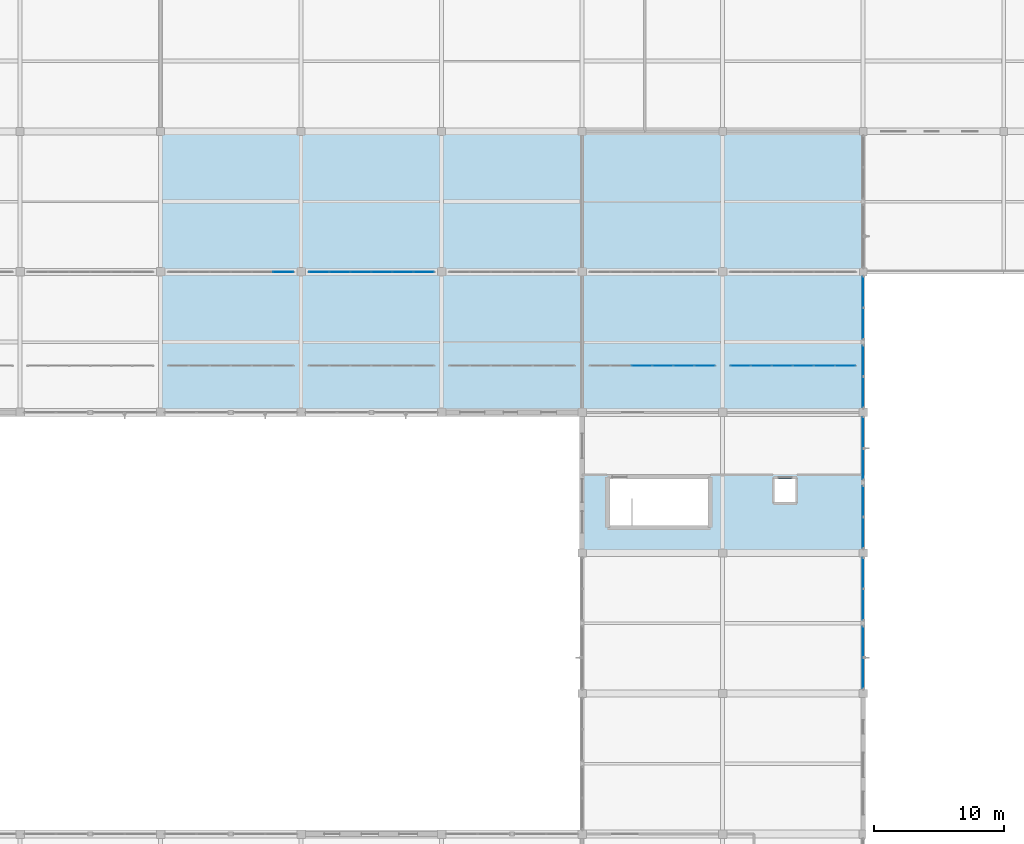
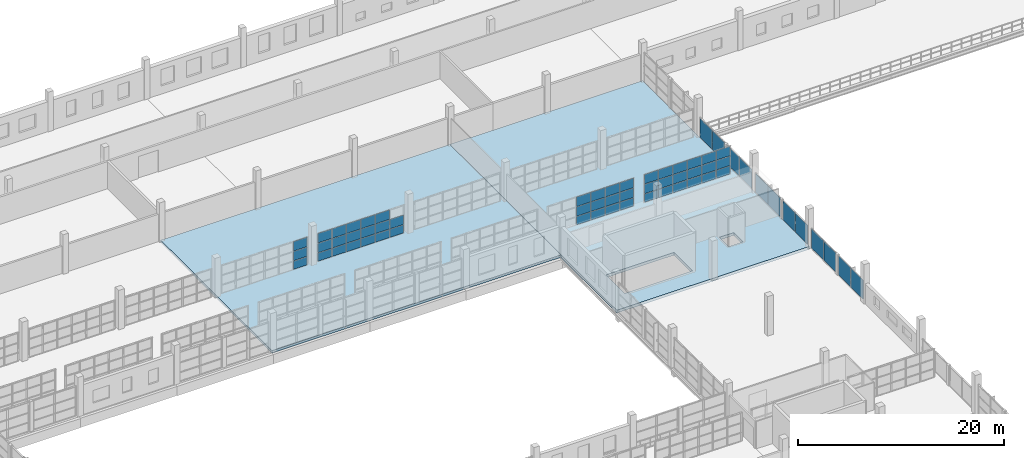
# One storey, part 100 of 142: 62 plates, 2 slabs, 10 elements without a shape of their own.
"""IFC4 building model written with IfcOpenShell, lengths in metres."""

import ifcopenshell
import ifcopenshell.guid

model = None  # the IFC model being written
_history = None  # IfcOwnerHistory: only IFC2X3 demands one
_inside = {}  # id of a spatial element -> (the spatial element, [elements in it])
_under = {}  # id of a project, library or spatial element -> (it, [spatial elements below it])
_declared = {}  # id of a project -> (the project, [libraries it declares])
_typed = {}  # id of a type object -> (the type object, [elements of that type])
_made_of = {}  # id of a material, layer set ... -> (it, [elements and type objects made of it])


def new_model(schema):
    """Start an empty IFC model of exactly this schema.

    Asked for "IFC4X3", IfcOpenShell would pick the latest addendum, in which some entities
    have other attributes; the version numbers below select the first issue.
    IFC2X3 requires an IfcOwnerHistory on every rooted entity: one is made here for all.
    """
    global model, _history
    if schema == "IFC4X3":
        model = ifcopenshell.file(schema_version=(4, 3, 0, 0))
    else:
        model = ifcopenshell.file(schema=schema)
    _inside.clear()
    _under.clear()
    _declared.clear()
    _typed.clear()
    _made_of.clear()
    _history = None
    if model.schema == "IFC2X3":
        org = make("IfcOrganization", Name="unknown")
        user = make(
            "IfcPersonAndOrganization",
            ThePerson=make("IfcPerson", FamilyName="unknown"),
            TheOrganization=org,
        )
        app = make(
            "IfcApplication",
            ApplicationDeveloper=org,
            Version="unknown",
            ApplicationFullName="unknown",
            ApplicationIdentifier="unknown",
        )
        _history = make(
            "IfcOwnerHistory",
            OwningUser=user,
            OwningApplication=app,
            ChangeAction="ADDED",
            CreationDate=0,
        )
    return model


def make(cls, **values):
    """One entity of the class cls with the attributes given. An attribute that is None is left unset."""
    return model.create_entity(
        cls, **{name: value for name, value in values.items() if value is not None}
    )


def rooted(cls, **values):
    """An entity with a GlobalId (a new one), such as an element, a storey or a relation."""
    return make(cls, GlobalId=ifcopenshell.guid.new(), OwnerHistory=_history, **values)


def si_unit(unit_type, name, prefix=None):
    """IfcSIUnit, for example si_unit("LENGTHUNIT", "METRE", prefix="MILLI")."""
    return make("IfcSIUnit", UnitType=unit_type, Prefix=prefix, Name=name)


def assignment(units):
    """IfcUnitAssignment: the units of a project."""
    return None if units is None else make("IfcUnitAssignment", Units=units)


def point(xyz):
    """IfcCartesianPoint."""
    return None if xyz is None else make("IfcCartesianPoint", Coordinates=xyz)


def direction(xyz):
    """IfcDirection."""
    return None if xyz is None else make("IfcDirection", DirectionRatios=xyz)


def frame(location, z_axis=None, x_axis=None):
    """IfcAxis2Placement3D, a coordinate frame: its origin and axes. An axis left out is left unset."""
    return make(
        "IfcAxis2Placement3D",
        Location=point(location),
        Axis=direction(z_axis),
        RefDirection=direction(x_axis),
    )


def frame_2d(location, x_axis=None):
    """IfcAxis2Placement2D, a coordinate frame in the plane: its origin and x axis."""
    return make(
        "IfcAxis2Placement2D", Location=point(location), RefDirection=direction(x_axis)
    )


def origin():
    """The frame at (0, 0, 0) with its axes left unset."""
    return frame((0.0, 0.0, 0.0))


def origin_2d():
    """The frame at (0, 0) in the plane with its x axis left unset."""
    return frame_2d((0.0, 0.0))


def place(relative_to, where):
    """IfcLocalPlacement: puts the frame where relative to a parent placement (None: the world)."""
    return make(
        "IfcLocalPlacement", PlacementRelTo=relative_to, RelativePlacement=where
    )


def context(
    kind, dimensions, precision=None, world=None, true_north=None, identifier=None
):
    """IfcGeometricRepresentationContext, for example the 3D "Model" context."""
    return make(
        "IfcGeometricRepresentationContext",
        ContextIdentifier=identifier,
        ContextType=kind,
        CoordinateSpaceDimension=dimensions,
        Precision=precision,
        WorldCoordinateSystem=world,
        TrueNorth=true_north,
    )


def subcontext(parent, identifier, kind, view, scale=None):
    """IfcGeometricRepresentationSubContext, for example "Body" below "Model"."""
    return make(
        "IfcGeometricRepresentationSubContext",
        ContextIdentifier=identifier,
        ContextType=kind,
        ParentContext=parent,
        TargetScale=scale,
        TargetView=view,
    )


def project(units=None, contexts=None):
    """IfcProject with its units and contexts."""
    return rooted(
        "IfcProject",
        Name="project",
        RepresentationContexts=contexts,
        UnitsInContext=assignment(units),
    )


def spatial(cls, under=None, at=None, **own):
    """A site, building, storey or space (cls), placed at a placement, below another one or the project."""
    s = rooted(cls, ObjectPlacement=at, **own)
    if under is not None:
        _under.setdefault(under.id(), (under, []))[1].append(s)
    return s


def polyline(points):
    """IfcPolyline through the points."""
    return make("IfcPolyline", Points=[point(p) for p in points])


def profile(cls, at=None, kind="AREA", **sizes):
    """A parametric profile (cls). Its sizes go by their IFC names, for example OverallWidth=200.0."""
    return make(cls, ProfileType=kind, Position=at, **sizes)


def rectangle(**sizes):
    """IfcRectangleProfileDef."""
    return profile("IfcRectangleProfileDef", **sizes)


def outline(outer, holes=None, kind="AREA"):
    """IfcArbitraryClosedProfileDef: a profile drawn as a closed curve; with holes, ...WithVoids."""
    if holes is None:
        return make("IfcArbitraryClosedProfileDef", ProfileType=kind, OuterCurve=outer)
    return make(
        "IfcArbitraryProfileDefWithVoids",
        ProfileType=kind,
        OuterCurve=outer,
        InnerCurves=holes,
    )


def extrude(swept, where, along, depth):
    """IfcExtrudedAreaSolid: the profile swept, set in the frame where, extruded along a direction by depth."""
    return make(
        "IfcExtrudedAreaSolid",
        SweptArea=swept,
        Position=where,
        ExtrudedDirection=direction(along),
        Depth=depth,
    )


def shape(context_of_items, identifier, shape_type, items):
    """IfcShapeRepresentation: the items that make up one representation, for example the "Body"."""
    return make(
        "IfcShapeRepresentation",
        ContextOfItems=context_of_items,
        RepresentationIdentifier=identifier,
        RepresentationType=shape_type,
        Items=items,
    )


def material(Name=None, Category=None):
    """IfcMaterial."""
    return make("IfcMaterial", Name=Name, Category=Category)


def layer(
    of_material, thickness, ventilated=None, Name=None, Category=None, Priority=None
):
    """IfcMaterialLayer: one layer of a wall or slab, of a material (None: an air gap)."""
    return make(
        "IfcMaterialLayer",
        Material=of_material,
        LayerThickness=thickness,
        IsVentilated=ventilated,
        Name=Name,
        Category=Category,
        Priority=Priority,
    )


def layer_set(layers, Name=None):
    """IfcMaterialLayerSet."""
    return make("IfcMaterialLayerSet", MaterialLayers=layers, LayerSetName=Name)


def made_of(thing, what):
    """Note that an element or type object is made of a material, layer set ...; save() writes the relation."""
    if what is not None:
        _made_of.setdefault(what.id(), (what, []))[1].append(thing)
    return thing


def type_object(cls, material=None, **own):
    """A type object (cls), such as IfcWallType, which elements share."""
    return made_of(rooted(cls, **own), material)


def element(
    cls,
    number,
    at=None,
    inside=None,
    cuts=None,
    type_object=None,
    material=None,
    context=None,
    identifier="Body",
    shape_type=None,
    held_by="IfcProductDefinitionShape",
    body=None,
    shapes=None,
    **own,
):
    """One element of the class cls, such as IfcWall. Its Tag is "e" and its number.

    at: its placement. inside: the storey or other place that contains it. cuts: it is an
    opening in that element (IfcRelVoidsElement). A single representation is given by context,
    identifier, shape_type and body (its items); several are given by shapes. held_by: the class
    of the entity that holds the representations. save() writes the other relations.
    """
    e = rooted(cls, Tag="e%d" % number, ObjectPlacement=at, **own)
    if body is not None:
        shapes = [shape(context, identifier, shape_type, body)]
    if shapes is not None:
        e.Representation = make(held_by, Representations=shapes)
    if inside is not None:
        _inside.setdefault(inside.id(), (inside, []))[1].append(e)
    if cuts is not None:
        rooted(
            "IfcRelVoidsElement", RelatingBuildingElement=cuts, RelatedOpeningElement=e
        )
    if type_object is not None:
        _typed.setdefault(type_object.id(), (type_object, []))[1].append(e)
    return made_of(e, material)


def aggregate(whole, parts):
    """IfcRelAggregates: a whole, such as a stair, and the parts it consists of."""
    return rooted("IfcRelAggregates", RelatingObject=whole, RelatedObjects=parts)


def save(model, path):
    """Write the relations noted so far, then the file.

    IfcRelAggregates (storeys below a building ...), IfcRelContainedInSpatialStructure (elements
    in a storey), IfcRelDefinesByType, IfcRelAssociatesMaterial and IfcRelDeclares: one each for
    every whole, place, type object, material and project.
    """
    for whole, parts in _under.values():
        aggregate(whole, parts)
    for where, things in _inside.values():
        rooted(
            "IfcRelContainedInSpatialStructure",
            RelatedElements=things,
            RelatingStructure=where,
        )
    for kind, things in _typed.values():
        rooted("IfcRelDefinesByType", RelatedObjects=things, RelatingType=kind)
    for what, things in _made_of.values():
        rooted("IfcRelAssociatesMaterial", RelatedObjects=things, RelatingMaterial=what)
    for by, libraries in _declared.values():
        rooted("IfcRelDeclares", RelatingContext=by, RelatedDefinitions=libraries)
    model.write(path)


model = new_model("IFC4")

# Units and contexts
model_context = context("Model", 3, precision=1e-05, world=origin(), true_north=direction((0.0, 1.0)))
body_context = subcontext(model_context, "Body", "Model", "MODEL_VIEW")
ifc_project = project(units=[si_unit("LENGTHUNIT", "METRE"), si_unit("AREAUNIT", "SQUARE_METRE"), si_unit("VOLUMEUNIT", "CUBIC_METRE"), si_unit("PLANEANGLEUNIT", "RADIAN"), si_unit("MASSUNIT", "GRAM", prefix="KILO")], contexts=[model_context])

# Site, building, storey
site_placement = place(None, origin())
site = spatial("IfcSite", under=ifc_project, at=site_placement, CompositionType="ELEMENT")
building_placement = place(site_placement, origin())
building = spatial("IfcBuilding", under=site, at=building_placement, Name="Zwinboog Wholesale Market", CompositionType="ELEMENT")
storey_placement = place(building_placement, frame((0.0, 0.0, 5.39990234375)))
storey = spatial("IfcBuildingStorey", under=building, at=storey_placement, Name="L01", CompositionType="ELEMENT", Elevation=5.39990234375)

# Slabs
ifc_material_1 = material(Name="Precast concrete C45/55", Category="concrete")
ifc_layer_1 = layer(ifc_material_1, 0.280029296875)
ifc_layer_set_1 = layer_set([ifc_layer_1], Name="Precast concrete C45/55")
slab_type_1 = type_object("IfcSlabType", Name="SLT-FL-280", PredefinedType="FLOOR", material=ifc_layer_set_1)
slab_1_placement = place(storey_placement, frame((0.0, 0.0, -0.27978515625)))
element("IfcSlab", 1, at=slab_1_placement, inside=storey, type_object=slab_type_1, Name="SF-280 (SLB-L01-040)", PredefinedType="FLOOR", context=body_context, shape_type="SweptSolid", body=[
    extrude(outline(polyline([(118.800048828125, 86.39990234375), (151.199951171875, 86.39990234375), (151.199951171875, 108.0), (118.800048828125, 108.0), (118.800048828125, 86.39990234375)])), origin(), (0.0, 0.0, 1.0), 0.27978515625),
])
ifc_layer_2 = layer(ifc_material_1, 0.33203125)
ifc_layer_set_2 = layer_set([ifc_layer_2], Name="Precast concrete C45/55")
slab_type_2 = type_object("IfcSlabType", Name="SLT-FL-332", PredefinedType="FLOOR", material=ifc_layer_set_2)
slab_2_placement = place(storey_placement, frame((0.0, 0.0, -0.331787109375)))
element("IfcSlab", 2, at=slab_2_placement, inside=storey, type_object=slab_type_2, Name="SF-332 (SLB-L01-042)", PredefinedType="FLOOR", context=body_context, shape_type="SweptSolid", body=[
    extrude(outline(polyline([(151.199951171875, 75.60009765625), (172.800048828125, 75.60009765625), (172.800048828125, 108.0), (151.199951171875, 108.0), (151.199951171875, 75.60009765625)]), holes=[polyline([(153.300048828125, 77.699951171875), (160.89990234375, 77.699951171875), (160.89990234375, 81.300048828125), (153.300048828125, 81.300048828125), (153.300048828125, 77.699951171875)]), polyline([(166.0, 79.5), (167.60009765625, 79.5), (167.60009765625, 81.300048828125), (166.0, 81.300048828125), (166.0, 79.5)])]), origin(), (0.0, 0.0, 1.0), 0.331787109375),
])

# Curtain wall, plates
ifc_material_2 = material(Name="Aluminium thermally broken curtain wall", Category="aluminium")
curtain_wall_type_1 = type_object("IfcCurtainWallType", Name="CWT-HALL-24", PredefinedType="USERDEFINED", material=ifc_material_2)
curtain_wall_1_placement = place(storey_placement, origin())
curtain_wall_1 = element("IfcCurtainWall", 3, at=curtain_wall_1_placement, inside=storey, type_object=curtain_wall_type_1, Name="CW-03 (CW-L01-135)", ObjectType="UNITIZED_CURTAIN_WALL", PredefinedType="USERDEFINED")
ifc_material_3 = material(Name="Triple solar-control insulated glazing", Category="glass")
ifc_layer_3 = layer(ifc_material_3, 0.0380859375)
ifc_layer_set_3 = layer_set([ifc_layer_3], Name="Triple solar-control insulated glazing")
plate_type_1 = type_object("IfcPlateType", Name="CWP-IGU-38", PredefinedType="CURTAIN_PANEL", material=ifc_layer_set_3)
plate_1_placement = place(storey_placement, frame((172.800048828125, 66.356201171875, 0.065185546875), z_axis=(0.0, 0.0, 1.0), x_axis=(0.0, 1.0, 0.0)))
plate_1 = element("IfcPlate", 4, at=plate_1_placement, type_object=plate_type_1, Name="CW-03 panel 1.1", PredefinedType="CURTAIN_PANEL", context=body_context, shape_type="SweptSolid", body=[
    extrude(rectangle(XDim=2.342529296875, YDim=0.0380859375, at=origin_2d()), origin(), (0.0, 0.0, 1.0), 2.25),
])
plate_2_placement = place(storey_placement, frame((172.800048828125, 68.763671875, 0.065185546875), z_axis=(0.0, 0.0, 1.0), x_axis=(0.0, 1.0, 0.0)))
plate_2 = element("IfcPlate", 5, at=plate_2_placement, type_object=plate_type_1, Name="CW-03 panel 2.1", PredefinedType="CURTAIN_PANEL", context=body_context, shape_type="SweptSolid", body=[
    extrude(rectangle(XDim=2.342529296875, YDim=0.0380859375, at=origin_2d()), origin(), (0.0, 0.0, 1.0), 2.25),
])
aggregate(curtain_wall_1, [plate_1, plate_2])

curtain_wall_type_2 = type_object("IfcCurtainWallType", Name="CWT-GAL-16", PredefinedType="USERDEFINED", material=ifc_material_2)
curtain_wall_2_placement = place(storey_placement, origin())
curtain_wall_2 = element("IfcCurtainWall", 6, at=curtain_wall_2_placement, inside=storey, type_object=curtain_wall_type_2, Name="CW-04 (CW-L01-136)", ObjectType="UNITIZED_CURTAIN_WALL", PredefinedType="USERDEFINED")
plate_3_placement = place(storey_placement, frame((172.800048828125, 71.635009765625, 0.06005859375), z_axis=(0.0, 0.0, 1.0), x_axis=(0.0, 1.0, 0.0)))
plate_3 = element("IfcPlate", 7, at=plate_3_placement, type_object=plate_type_1, Name="CW-04 panel 1.1", PredefinedType="CURTAIN_PANEL", context=body_context, shape_type="SweptSolid", body=[
    extrude(rectangle(XDim=2.35009765625, YDim=0.0380859375, at=origin_2d()), origin(), (0.0, 0.0, 1.0), 2.260009765625),
])
plate_4_placement = place(storey_placement, frame((172.800048828125, 74.044921875, 0.06005859375), z_axis=(0.0, 0.0, 1.0), x_axis=(0.0, 1.0, 0.0)))
plate_4 = element("IfcPlate", 8, at=plate_4_placement, type_object=plate_type_1, Name="CW-04 panel 2.1", PredefinedType="CURTAIN_PANEL", context=body_context, shape_type="SweptSolid", body=[
    extrude(rectangle(XDim=2.35009765625, YDim=0.0380859375, at=origin_2d()), origin(), (0.0, 0.0, 1.0), 2.260009765625),
])
aggregate(curtain_wall_2, [plate_3, plate_4])

curtain_wall_type_3 = type_object("IfcCurtainWallType", Name="CWT-CAFE-22", PredefinedType="USERDEFINED", material=ifc_material_2)
curtain_wall_3_placement = place(storey_placement, origin())
curtain_wall_3 = element("IfcCurtainWall", 9, at=curtain_wall_3_placement, inside=storey, type_object=curtain_wall_type_3, Name="CW-05 (CW-L01-137)", ObjectType="STOREFRONT_GLAZING", PredefinedType="USERDEFINED")
plate_5_placement = place(storey_placement, frame((172.800048828125, 77.15625, 0.065185546875), z_axis=(0.0, 0.0, 1.0), x_axis=(0.0, 1.0, 0.0)))
plate_5 = element("IfcPlate", 10, at=plate_5_placement, type_object=plate_type_1, Name="CW-05 panel 1.1", PredefinedType="CURTAIN_PANEL", context=body_context, shape_type="SweptSolid", body=[
    extrude(rectangle(XDim=2.342529296875, YDim=0.0380859375, at=origin_2d()), origin(), (0.0, 0.0, 1.0), 2.25),
])
plate_6_placement = place(storey_placement, frame((172.800048828125, 79.563720703125, 0.065185546875), z_axis=(0.0, 0.0, 1.0), x_axis=(0.0, 1.0, 0.0)))
plate_6 = element("IfcPlate", 11, at=plate_6_placement, type_object=plate_type_1, Name="CW-05 panel 2.1", PredefinedType="CURTAIN_PANEL", context=body_context, shape_type="SweptSolid", body=[
    extrude(rectangle(XDim=2.342529296875, YDim=0.0380859375, at=origin_2d()), origin(), (0.0, 0.0, 1.0), 2.25),
])
aggregate(curtain_wall_3, [plate_5, plate_6])

curtain_wall_type_4 = type_object("IfcCurtainWallType", Name="CWT-OFF-15", PredefinedType="USERDEFINED", material=ifc_material_2)
curtain_wall_4_placement = place(storey_placement, origin())
curtain_wall_4 = element("IfcCurtainWall", 12, at=curtain_wall_4_placement, inside=storey, type_object=curtain_wall_type_4, Name="CW-06 (CW-L01-138)", ObjectType="UNITIZED_CURTAIN_WALL", PredefinedType="USERDEFINED")
plate_7_placement = place(storey_placement, frame((172.800048828125, 82.43505859375, 0.06005859375), z_axis=(0.0, 0.0, 1.0), x_axis=(0.0, 1.0, 0.0)))
plate_7 = element("IfcPlate", 13, at=plate_7_placement, type_object=plate_type_1, Name="CW-06 panel 1.1", PredefinedType="CURTAIN_PANEL", context=body_context, shape_type="SweptSolid", body=[
    extrude(rectangle(XDim=2.35009765625, YDim=0.0380859375, at=origin_2d()), origin(), (0.0, 0.0, 1.0), 2.260009765625),
])
plate_8_placement = place(storey_placement, frame((172.800048828125, 84.844970703125, 0.06005859375), z_axis=(0.0, 0.0, 1.0), x_axis=(0.0, 1.0, 0.0)))
plate_8 = element("IfcPlate", 14, at=plate_8_placement, type_object=plate_type_1, Name="CW-06 panel 2.1", PredefinedType="CURTAIN_PANEL", context=body_context, shape_type="SweptSolid", body=[
    extrude(rectangle(XDim=2.35009765625, YDim=0.0380859375, at=origin_2d()), origin(), (0.0, 0.0, 1.0), 2.260009765625),
])
aggregate(curtain_wall_4, [plate_7, plate_8])

curtain_wall_type_5 = type_object("IfcCurtainWallType", Name="CWT-STALL-18", PredefinedType="USERDEFINED", material=ifc_material_2)
curtain_wall_5_placement = place(storey_placement, origin())
curtain_wall_5 = element("IfcCurtainWall", 15, at=curtain_wall_5_placement, inside=storey, type_object=curtain_wall_type_5, Name="CW-01 (CW-L01-139)", ObjectType="STOREFRONT_GLAZING", PredefinedType="USERDEFINED")
plate_9_placement = place(storey_placement, frame((172.800048828125, 87.956298828125, 0.065185546875), z_axis=(0.0, 0.0, 1.0), x_axis=(0.0, 1.0, 0.0)))
plate_9 = element("IfcPlate", 16, at=plate_9_placement, type_object=plate_type_1, Name="CW-01 panel 1.1", PredefinedType="CURTAIN_PANEL", context=body_context, shape_type="SweptSolid", body=[
    extrude(rectangle(XDim=2.342529296875, YDim=0.0380859375, at=origin_2d()), origin(), (0.0, 0.0, 1.0), 2.25),
])
plate_10_placement = place(storey_placement, frame((172.800048828125, 90.36376953125, 0.065185546875), z_axis=(0.0, 0.0, 1.0), x_axis=(0.0, 1.0, 0.0)))
plate_10 = element("IfcPlate", 17, at=plate_10_placement, type_object=plate_type_1, Name="CW-01 panel 2.1", PredefinedType="CURTAIN_PANEL", context=body_context, shape_type="SweptSolid", body=[
    extrude(rectangle(XDim=2.342529296875, YDim=0.0380859375, at=origin_2d()), origin(), (0.0, 0.0, 1.0), 2.25),
])
aggregate(curtain_wall_5, [plate_9, plate_10])

curtain_wall_type_6 = type_object("IfcCurtainWallType", Name="CWT-STALL-20", PredefinedType="USERDEFINED", material=ifc_material_2)
curtain_wall_6_placement = place(storey_placement, origin())
curtain_wall_6 = element("IfcCurtainWall", 18, at=curtain_wall_6_placement, inside=storey, type_object=curtain_wall_type_6, Name="CW-02 (CW-L01-140)", ObjectType="STOREFRONT_GLAZING", PredefinedType="USERDEFINED")
plate_11_placement = place(storey_placement, frame((172.800048828125, 93.2412109375, 0.06005859375), z_axis=(0.0, 0.0, 1.0), x_axis=(0.0, 1.0, 0.0)))
plate_11 = element("IfcPlate", 19, at=plate_11_placement, type_object=plate_type_1, Name="CW-02 panel 1.1", PredefinedType="CURTAIN_PANEL", context=body_context, shape_type="SweptSolid", body=[
    extrude(rectangle(XDim=2.362548828125, YDim=0.0380859375, at=origin_2d()), origin(), (0.0, 0.0, 1.0), 2.260009765625),
])
plate_12_placement = place(storey_placement, frame((172.800048828125, 95.663818359375, 0.06005859375), z_axis=(0.0, 0.0, 1.0), x_axis=(0.0, 1.0, 0.0)))
plate_12 = element("IfcPlate", 20, at=plate_12_placement, type_object=plate_type_1, Name="CW-02 panel 2.1", PredefinedType="CURTAIN_PANEL", context=body_context, shape_type="SweptSolid", body=[
    extrude(rectangle(XDim=2.362548828125, YDim=0.0380859375, at=origin_2d()), origin(), (0.0, 0.0, 1.0), 2.260009765625),
])
aggregate(curtain_wall_6, [plate_11, plate_12])

curtain_wall_type_7 = type_object("IfcCurtainWallType", Name="CWT-INT-STALL", PredefinedType="USERDEFINED", material=ifc_material_2)
curtain_wall_7_placement = place(storey_placement, origin())
curtain_wall_7 = element("IfcCurtainWall", 21, at=curtain_wall_7_placement, inside=storey, type_object=curtain_wall_type_7, Name="CW-07 (CW-STL-243)", ObjectType="STOREFRONT_GLAZING", PredefinedType="USERDEFINED")
ifc_material_4 = material(Name="Tempered laminated market stall glazing", Category="glass")
ifc_layer_4 = layer(ifc_material_4, 0.01611328125)
ifc_layer_set_4 = layer_set([ifc_layer_4], Name="Tempered laminated market stall glazing")
plate_type_2 = type_object("IfcPlateType", Name="CWP-INT-16", PredefinedType="CURTAIN_PANEL", material=ifc_layer_set_4)
plate_13_placement = place(storey_placement, frame((155.791748046875, 90.0, 0.06005859375), z_axis=(0.0, 0.0, 1.0), x_axis=(1.0, 0.0, 0.0)))
plate_13 = element("IfcPlate", 22, at=plate_13_placement, type_object=plate_type_2, Name="CW-07 panel 3.1", PredefinedType="CURTAIN_PANEL", context=body_context, shape_type="SweptSolid", body=[
    extrude(rectangle(XDim=1.556640625, YDim=0.01611328125, at=origin_2d()), origin(), (0.0, 0.0, 1.0), 0.9599609375),
])
plate_14_placement = place(storey_placement, frame((155.791748046875, 90.0, 1.080078125), z_axis=(0.0, 0.0, 1.0), x_axis=(1.0, 0.0, 0.0)))
plate_14 = element("IfcPlate", 23, at=plate_14_placement, type_object=plate_type_2, Name="CW-07 panel 3.2", PredefinedType="CURTAIN_PANEL", context=body_context, shape_type="SweptSolid", body=[
    extrude(rectangle(XDim=1.556640625, YDim=0.01611328125, at=origin_2d()), origin(), (0.0, 0.0, 1.0), 1.090087890625),
])
plate_15_placement = place(storey_placement, frame((155.791748046875, 90.0, 2.22998046875), z_axis=(0.0, 0.0, 1.0), x_axis=(1.0, 0.0, 0.0)))
plate_15 = element("IfcPlate", 24, at=plate_15_placement, type_object=plate_type_2, Name="CW-07 panel 3.3", PredefinedType="CURTAIN_PANEL", context=body_context, shape_type="SweptSolid", body=[
    extrude(rectangle(XDim=1.556640625, YDim=0.01611328125, at=origin_2d()), origin(), (0.0, 0.0, 1.0), 1.110107421875),
])
plate_16_placement = place(storey_placement, frame((157.408447265625, 90.0, 0.06005859375), z_axis=(0.0, 0.0, 1.0), x_axis=(1.0, 0.0, 0.0)))
plate_16 = element("IfcPlate", 25, at=plate_16_placement, type_object=plate_type_2, Name="CW-07 panel 4.1", PredefinedType="CURTAIN_PANEL", context=body_context, shape_type="SweptSolid", body=[
    extrude(rectangle(XDim=1.556640625, YDim=0.01611328125, at=origin_2d()), origin(), (0.0, 0.0, 1.0), 0.9599609375),
])
plate_17_placement = place(storey_placement, frame((157.408447265625, 90.0, 1.080078125), z_axis=(0.0, 0.0, 1.0), x_axis=(1.0, 0.0, 0.0)))
plate_17 = element("IfcPlate", 26, at=plate_17_placement, type_object=plate_type_2, Name="CW-07 panel 4.2", PredefinedType="CURTAIN_PANEL", context=body_context, shape_type="SweptSolid", body=[
    extrude(rectangle(XDim=1.556640625, YDim=0.01611328125, at=origin_2d()), origin(), (0.0, 0.0, 1.0), 1.090087890625),
])
plate_18_placement = place(storey_placement, frame((157.408447265625, 90.0, 2.22998046875), z_axis=(0.0, 0.0, 1.0), x_axis=(1.0, 0.0, 0.0)))
plate_18 = element("IfcPlate", 27, at=plate_18_placement, type_object=plate_type_2, Name="CW-07 panel 4.3", PredefinedType="CURTAIN_PANEL", context=body_context, shape_type="SweptSolid", body=[
    extrude(rectangle(XDim=1.556640625, YDim=0.01611328125, at=origin_2d()), origin(), (0.0, 0.0, 1.0), 1.110107421875),
])
plate_19_placement = place(storey_placement, frame((159.02490234375, 90.0, 0.06005859375), z_axis=(0.0, 0.0, 1.0), x_axis=(1.0, 0.0, 0.0)))
plate_19 = element("IfcPlate", 28, at=plate_19_placement, type_object=plate_type_2, Name="CW-07 panel 5.1", PredefinedType="CURTAIN_PANEL", context=body_context, shape_type="SweptSolid", body=[
    extrude(rectangle(XDim=1.556640625, YDim=0.01611328125, at=origin_2d()), origin(), (0.0, 0.0, 1.0), 0.9599609375),
])
plate_20_placement = place(storey_placement, frame((159.02490234375, 90.0, 1.080078125), z_axis=(0.0, 0.0, 1.0), x_axis=(1.0, 0.0, 0.0)))
plate_20 = element("IfcPlate", 29, at=plate_20_placement, type_object=plate_type_2, Name="CW-07 panel 5.2", PredefinedType="CURTAIN_PANEL", context=body_context, shape_type="SweptSolid", body=[
    extrude(rectangle(XDim=1.556640625, YDim=0.01611328125, at=origin_2d()), origin(), (0.0, 0.0, 1.0), 1.090087890625),
])
plate_21_placement = place(storey_placement, frame((159.02490234375, 90.0, 2.22998046875), z_axis=(0.0, 0.0, 1.0), x_axis=(1.0, 0.0, 0.0)))
plate_21 = element("IfcPlate", 30, at=plate_21_placement, type_object=plate_type_2, Name="CW-07 panel 5.3", PredefinedType="CURTAIN_PANEL", context=body_context, shape_type="SweptSolid", body=[
    extrude(rectangle(XDim=1.556640625, YDim=0.01611328125, at=origin_2d()), origin(), (0.0, 0.0, 1.0), 1.110107421875),
])
plate_22_placement = place(storey_placement, frame((160.626708984375, 90.0, 0.06005859375), z_axis=(0.0, 0.0, 1.0), x_axis=(1.0, 0.0, 0.0)))
plate_22 = element("IfcPlate", 31, at=plate_22_placement, type_object=plate_type_2, Name="CW-07 panel 6.1", PredefinedType="CURTAIN_PANEL", context=body_context, shape_type="SweptSolid", body=[
    extrude(rectangle(XDim=1.526611328125, YDim=0.01611328125, at=origin_2d()), origin(), (0.0, 0.0, 1.0), 0.9599609375),
])
plate_23_placement = place(storey_placement, frame((160.626708984375, 90.0, 1.080078125), z_axis=(0.0, 0.0, 1.0), x_axis=(1.0, 0.0, 0.0)))
plate_23 = element("IfcPlate", 32, at=plate_23_placement, type_object=plate_type_2, Name="CW-07 panel 6.2", PredefinedType="CURTAIN_PANEL", context=body_context, shape_type="SweptSolid", body=[
    extrude(rectangle(XDim=1.526611328125, YDim=0.01611328125, at=origin_2d()), origin(), (0.0, 0.0, 1.0), 1.090087890625),
])
plate_24_placement = place(storey_placement, frame((160.626708984375, 90.0, 2.22998046875), z_axis=(0.0, 0.0, 1.0), x_axis=(1.0, 0.0, 0.0)))
plate_24 = element("IfcPlate", 33, at=plate_24_placement, type_object=plate_type_2, Name="CW-07 panel 6.3", PredefinedType="CURTAIN_PANEL", context=body_context, shape_type="SweptSolid", body=[
    extrude(rectangle(XDim=1.526611328125, YDim=0.01611328125, at=origin_2d()), origin(), (0.0, 0.0, 1.0), 1.110107421875),
])
aggregate(curtain_wall_7, [plate_13, plate_14, plate_15, plate_16, plate_17, plate_18, plate_19, plate_20, plate_21, plate_22, plate_23, plate_24])

curtain_wall_8_placement = place(storey_placement, origin())
curtain_wall_8 = element("IfcCurtainWall", 34, at=curtain_wall_8_placement, inside=storey, type_object=curtain_wall_type_7, Name="CW-07 (CW-STL-244)", ObjectType="STOREFRONT_GLAZING", PredefinedType="USERDEFINED")
plate_25_placement = place(storey_placement, frame((163.373291015625, 90.0, 0.06005859375), z_axis=(0.0, 0.0, 1.0), x_axis=(1.0, 0.0, 0.0)))
plate_25 = element("IfcPlate", 35, at=plate_25_placement, type_object=plate_type_2, Name="CW-07 panel 1.1", PredefinedType="CURTAIN_PANEL", context=body_context, shape_type="SweptSolid", body=[
    extrude(rectangle(XDim=1.526611328125, YDim=0.01611328125, at=origin_2d()), origin(), (0.0, 0.0, 1.0), 0.9599609375),
])
plate_26_placement = place(storey_placement, frame((163.373291015625, 90.0, 1.080078125), z_axis=(0.0, 0.0, 1.0), x_axis=(1.0, 0.0, 0.0)))
plate_26 = element("IfcPlate", 36, at=plate_26_placement, type_object=plate_type_2, Name="CW-07 panel 1.2", PredefinedType="CURTAIN_PANEL", context=body_context, shape_type="SweptSolid", body=[
    extrude(rectangle(XDim=1.526611328125, YDim=0.01611328125, at=origin_2d()), origin(), (0.0, 0.0, 1.0), 1.090087890625),
])
plate_27_placement = place(storey_placement, frame((163.373291015625, 90.0, 2.22998046875), z_axis=(0.0, 0.0, 1.0), x_axis=(1.0, 0.0, 0.0)))
plate_27 = element("IfcPlate", 37, at=plate_27_placement, type_object=plate_type_2, Name="CW-07 panel 1.3", PredefinedType="CURTAIN_PANEL", context=body_context, shape_type="SweptSolid", body=[
    extrude(rectangle(XDim=1.526611328125, YDim=0.01611328125, at=origin_2d()), origin(), (0.0, 0.0, 1.0), 1.110107421875),
])
plate_28_placement = place(storey_placement, frame((164.97509765625, 90.0, 0.06005859375), z_axis=(0.0, 0.0, 1.0), x_axis=(1.0, 0.0, 0.0)))
plate_28 = element("IfcPlate", 38, at=plate_28_placement, type_object=plate_type_2, Name="CW-07 panel 2.1", PredefinedType="CURTAIN_PANEL", context=body_context, shape_type="SweptSolid", body=[
    extrude(rectangle(XDim=1.556640625, YDim=0.01611328125, at=origin_2d()), origin(), (0.0, 0.0, 1.0), 0.9599609375),
])
plate_29_placement = place(storey_placement, frame((164.97509765625, 90.0, 1.080078125), z_axis=(0.0, 0.0, 1.0), x_axis=(1.0, 0.0, 0.0)))
plate_29 = element("IfcPlate", 39, at=plate_29_placement, type_object=plate_type_2, Name="CW-07 panel 2.2", PredefinedType="CURTAIN_PANEL", context=body_context, shape_type="SweptSolid", body=[
    extrude(rectangle(XDim=1.556640625, YDim=0.01611328125, at=origin_2d()), origin(), (0.0, 0.0, 1.0), 1.090087890625),
])
plate_30_placement = place(storey_placement, frame((164.97509765625, 90.0, 2.22998046875), z_axis=(0.0, 0.0, 1.0), x_axis=(1.0, 0.0, 0.0)))
plate_30 = element("IfcPlate", 40, at=plate_30_placement, type_object=plate_type_2, Name="CW-07 panel 2.3", PredefinedType="CURTAIN_PANEL", context=body_context, shape_type="SweptSolid", body=[
    extrude(rectangle(XDim=1.556640625, YDim=0.01611328125, at=origin_2d()), origin(), (0.0, 0.0, 1.0), 1.110107421875),
])
plate_31_placement = place(storey_placement, frame((166.591552734375, 90.0, 0.06005859375), z_axis=(0.0, 0.0, 1.0), x_axis=(1.0, 0.0, 0.0)))
plate_31 = element("IfcPlate", 41, at=plate_31_placement, type_object=plate_type_2, Name="CW-07 panel 3.1", PredefinedType="CURTAIN_PANEL", context=body_context, shape_type="SweptSolid", body=[
    extrude(rectangle(XDim=1.556640625, YDim=0.01611328125, at=origin_2d()), origin(), (0.0, 0.0, 1.0), 0.9599609375),
])
plate_32_placement = place(storey_placement, frame((166.591552734375, 90.0, 1.080078125), z_axis=(0.0, 0.0, 1.0), x_axis=(1.0, 0.0, 0.0)))
plate_32 = element("IfcPlate", 42, at=plate_32_placement, type_object=plate_type_2, Name="CW-07 panel 3.2", PredefinedType="CURTAIN_PANEL", context=body_context, shape_type="SweptSolid", body=[
    extrude(rectangle(XDim=1.556640625, YDim=0.01611328125, at=origin_2d()), origin(), (0.0, 0.0, 1.0), 1.090087890625),
])
plate_33_placement = place(storey_placement, frame((166.591552734375, 90.0, 2.22998046875), z_axis=(0.0, 0.0, 1.0), x_axis=(1.0, 0.0, 0.0)))
plate_33 = element("IfcPlate", 43, at=plate_33_placement, type_object=plate_type_2, Name="CW-07 panel 3.3", PredefinedType="CURTAIN_PANEL", context=body_context, shape_type="SweptSolid", body=[
    extrude(rectangle(XDim=1.556640625, YDim=0.01611328125, at=origin_2d()), origin(), (0.0, 0.0, 1.0), 1.110107421875),
])
plate_34_placement = place(storey_placement, frame((168.208251953125, 90.0, 0.06005859375), z_axis=(0.0, 0.0, 1.0), x_axis=(1.0, 0.0, 0.0)))
plate_34 = element("IfcPlate", 44, at=plate_34_placement, type_object=plate_type_2, Name="CW-07 panel 4.1", PredefinedType="CURTAIN_PANEL", context=body_context, shape_type="SweptSolid", body=[
    extrude(rectangle(XDim=1.556640625, YDim=0.01611328125, at=origin_2d()), origin(), (0.0, 0.0, 1.0), 0.9599609375),
])
plate_35_placement = place(storey_placement, frame((168.208251953125, 90.0, 1.080078125), z_axis=(0.0, 0.0, 1.0), x_axis=(1.0, 0.0, 0.0)))
plate_35 = element("IfcPlate", 45, at=plate_35_placement, type_object=plate_type_2, Name="CW-07 panel 4.2", PredefinedType="CURTAIN_PANEL", context=body_context, shape_type="SweptSolid", body=[
    extrude(rectangle(XDim=1.556640625, YDim=0.01611328125, at=origin_2d()), origin(), (0.0, 0.0, 1.0), 1.090087890625),
])
plate_36_placement = place(storey_placement, frame((168.208251953125, 90.0, 2.22998046875), z_axis=(0.0, 0.0, 1.0), x_axis=(1.0, 0.0, 0.0)))
plate_36 = element("IfcPlate", 46, at=plate_36_placement, type_object=plate_type_2, Name="CW-07 panel 4.3", PredefinedType="CURTAIN_PANEL", context=body_context, shape_type="SweptSolid", body=[
    extrude(rectangle(XDim=1.556640625, YDim=0.01611328125, at=origin_2d()), origin(), (0.0, 0.0, 1.0), 1.110107421875),
])
plate_37_placement = place(storey_placement, frame((169.824951171875, 90.0, 0.06005859375), z_axis=(0.0, 0.0, 1.0), x_axis=(1.0, 0.0, 0.0)))
plate_37 = element("IfcPlate", 47, at=plate_37_placement, type_object=plate_type_2, Name="CW-07 panel 5.1", PredefinedType="CURTAIN_PANEL", context=body_context, shape_type="SweptSolid", body=[
    extrude(rectangle(XDim=1.556640625, YDim=0.01611328125, at=origin_2d()), origin(), (0.0, 0.0, 1.0), 0.9599609375),
])
plate_38_placement = place(storey_placement, frame((169.824951171875, 90.0, 1.080078125), z_axis=(0.0, 0.0, 1.0), x_axis=(1.0, 0.0, 0.0)))
plate_38 = element("IfcPlate", 48, at=plate_38_placement, type_object=plate_type_2, Name="CW-07 panel 5.2", PredefinedType="CURTAIN_PANEL", context=body_context, shape_type="SweptSolid", body=[
    extrude(rectangle(XDim=1.556640625, YDim=0.01611328125, at=origin_2d()), origin(), (0.0, 0.0, 1.0), 1.090087890625),
])
plate_39_placement = place(storey_placement, frame((169.824951171875, 90.0, 2.22998046875), z_axis=(0.0, 0.0, 1.0), x_axis=(1.0, 0.0, 0.0)))
plate_39 = element("IfcPlate", 49, at=plate_39_placement, type_object=plate_type_2, Name="CW-07 panel 5.3", PredefinedType="CURTAIN_PANEL", context=body_context, shape_type="SweptSolid", body=[
    extrude(rectangle(XDim=1.556640625, YDim=0.01611328125, at=origin_2d()), origin(), (0.0, 0.0, 1.0), 1.110107421875),
])
plate_40_placement = place(storey_placement, frame((171.4267578125, 90.0, 0.06005859375), z_axis=(0.0, 0.0, 1.0), x_axis=(1.0, 0.0, 0.0)))
plate_40 = element("IfcPlate", 50, at=plate_40_placement, type_object=plate_type_2, Name="CW-07 panel 6.1", PredefinedType="CURTAIN_PANEL", context=body_context, shape_type="SweptSolid", body=[
    extrude(rectangle(XDim=1.526611328125, YDim=0.01611328125, at=origin_2d()), origin(), (0.0, 0.0, 1.0), 0.9599609375),
])
plate_41_placement = place(storey_placement, frame((171.4267578125, 90.0, 1.080078125), z_axis=(0.0, 0.0, 1.0), x_axis=(1.0, 0.0, 0.0)))
plate_41 = element("IfcPlate", 51, at=plate_41_placement, type_object=plate_type_2, Name="CW-07 panel 6.2", PredefinedType="CURTAIN_PANEL", context=body_context, shape_type="SweptSolid", body=[
    extrude(rectangle(XDim=1.526611328125, YDim=0.01611328125, at=origin_2d()), origin(), (0.0, 0.0, 1.0), 1.090087890625),
])
plate_42_placement = place(storey_placement, frame((171.4267578125, 90.0, 2.22998046875), z_axis=(0.0, 0.0, 1.0), x_axis=(1.0, 0.0, 0.0)))
plate_42 = element("IfcPlate", 52, at=plate_42_placement, type_object=plate_type_2, Name="CW-07 panel 6.3", PredefinedType="CURTAIN_PANEL", context=body_context, shape_type="SweptSolid", body=[
    extrude(rectangle(XDim=1.526611328125, YDim=0.01611328125, at=origin_2d()), origin(), (0.0, 0.0, 1.0), 1.110107421875),
])
aggregate(curtain_wall_8, [plate_25, plate_26, plate_27, plate_28, plate_29, plate_30, plate_31, plate_32, plate_33, plate_34, plate_35, plate_36, plate_37, plate_38, plate_39, plate_40, plate_41, plate_42])

curtain_wall_9_placement = place(storey_placement, origin())
curtain_wall_9 = element("IfcCurtainWall", 53, at=curtain_wall_9_placement, inside=storey, type_object=curtain_wall_type_7, Name="CW-07 (CW-STL-250)", ObjectType="STOREFRONT_GLAZING", PredefinedType="USERDEFINED")
plate_43_placement = place(storey_placement, frame((128.2265625, 97.199951171875, 0.06005859375), z_axis=(0.0, 0.0, 1.0), x_axis=(1.0, 0.0, 0.0)))
plate_43 = element("IfcPlate", 54, at=plate_43_placement, type_object=plate_type_2, Name="CW-07 panel 6.1", PredefinedType="CURTAIN_PANEL", context=body_context, shape_type="SweptSolid", body=[
    extrude(rectangle(XDim=1.526611328125, YDim=0.01611328125, at=origin_2d()), origin(), (0.0, 0.0, 1.0), 0.9599609375),
])
plate_44_placement = place(storey_placement, frame((128.2265625, 97.199951171875, 1.080078125), z_axis=(0.0, 0.0, 1.0), x_axis=(1.0, 0.0, 0.0)))
plate_44 = element("IfcPlate", 55, at=plate_44_placement, type_object=plate_type_2, Name="CW-07 panel 6.2", PredefinedType="CURTAIN_PANEL", context=body_context, shape_type="SweptSolid", body=[
    extrude(rectangle(XDim=1.526611328125, YDim=0.01611328125, at=origin_2d()), origin(), (0.0, 0.0, 1.0), 1.090087890625),
])
plate_45_placement = place(storey_placement, frame((128.2265625, 97.199951171875, 2.22998046875), z_axis=(0.0, 0.0, 1.0), x_axis=(1.0, 0.0, 0.0)))
plate_45 = element("IfcPlate", 56, at=plate_45_placement, type_object=plate_type_2, Name="CW-07 panel 6.3", PredefinedType="CURTAIN_PANEL", context=body_context, shape_type="SweptSolid", body=[
    extrude(rectangle(XDim=1.526611328125, YDim=0.01611328125, at=origin_2d()), origin(), (0.0, 0.0, 1.0), 1.110107421875),
])
aggregate(curtain_wall_9, [plate_43, plate_44, plate_45])

curtain_wall_10_placement = place(storey_placement, origin())
curtain_wall_10 = element("IfcCurtainWall", 57, at=curtain_wall_10_placement, inside=storey, type_object=curtain_wall_type_7, Name="CW-07 (CW-STL-251)", ObjectType="STOREFRONT_GLAZING", PredefinedType="USERDEFINED")
plate_46_placement = place(storey_placement, frame((130.973388671875, 97.199951171875, 0.06005859375), z_axis=(0.0, 0.0, 1.0), x_axis=(1.0, 0.0, 0.0)))
plate_46 = element("IfcPlate", 58, at=plate_46_placement, type_object=plate_type_2, Name="CW-07 panel 1.1", PredefinedType="CURTAIN_PANEL", context=body_context, shape_type="SweptSolid", body=[
    extrude(rectangle(XDim=1.526611328125, YDim=0.01611328125, at=origin_2d()), origin(), (0.0, 0.0, 1.0), 0.9599609375),
])
plate_47_placement = place(storey_placement, frame((130.973388671875, 97.199951171875, 1.080078125), z_axis=(0.0, 0.0, 1.0), x_axis=(1.0, 0.0, 0.0)))
plate_47 = element("IfcPlate", 59, at=plate_47_placement, type_object=plate_type_2, Name="CW-07 panel 1.2", PredefinedType="CURTAIN_PANEL", context=body_context, shape_type="SweptSolid", body=[
    extrude(rectangle(XDim=1.526611328125, YDim=0.01611328125, at=origin_2d()), origin(), (0.0, 0.0, 1.0), 1.090087890625),
])
plate_48_placement = place(storey_placement, frame((130.973388671875, 97.199951171875, 2.22998046875), z_axis=(0.0, 0.0, 1.0), x_axis=(1.0, 0.0, 0.0)))
plate_48 = element("IfcPlate", 60, at=plate_48_placement, type_object=plate_type_2, Name="CW-07 panel 1.3", PredefinedType="CURTAIN_PANEL", context=body_context, shape_type="SweptSolid", body=[
    extrude(rectangle(XDim=1.526611328125, YDim=0.01611328125, at=origin_2d()), origin(), (0.0, 0.0, 1.0), 1.110107421875),
])
plate_49_placement = place(storey_placement, frame((132.574951171875, 97.199951171875, 0.06005859375), z_axis=(0.0, 0.0, 1.0), x_axis=(1.0, 0.0, 0.0)))
plate_49 = element("IfcPlate", 61, at=plate_49_placement, type_object=plate_type_2, Name="CW-07 panel 2.1", PredefinedType="CURTAIN_PANEL", context=body_context, shape_type="SweptSolid", body=[
    extrude(rectangle(XDim=1.556640625, YDim=0.01611328125, at=origin_2d()), origin(), (0.0, 0.0, 1.0), 0.9599609375),
])
plate_50_placement = place(storey_placement, frame((132.574951171875, 97.199951171875, 1.080078125), z_axis=(0.0, 0.0, 1.0), x_axis=(1.0, 0.0, 0.0)))
plate_50 = element("IfcPlate", 62, at=plate_50_placement, type_object=plate_type_2, Name="CW-07 panel 2.2", PredefinedType="CURTAIN_PANEL", context=body_context, shape_type="SweptSolid", body=[
    extrude(rectangle(XDim=1.556640625, YDim=0.01611328125, at=origin_2d()), origin(), (0.0, 0.0, 1.0), 1.090087890625),
])
plate_51_placement = place(storey_placement, frame((132.574951171875, 97.199951171875, 2.22998046875), z_axis=(0.0, 0.0, 1.0), x_axis=(1.0, 0.0, 0.0)))
plate_51 = element("IfcPlate", 63, at=plate_51_placement, type_object=plate_type_2, Name="CW-07 panel 2.3", PredefinedType="CURTAIN_PANEL", context=body_context, shape_type="SweptSolid", body=[
    extrude(rectangle(XDim=1.556640625, YDim=0.01611328125, at=origin_2d()), origin(), (0.0, 0.0, 1.0), 1.110107421875),
])
plate_52_placement = place(storey_placement, frame((134.191650390625, 97.199951171875, 0.06005859375), z_axis=(0.0, 0.0, 1.0), x_axis=(1.0, 0.0, 0.0)))
plate_52 = element("IfcPlate", 64, at=plate_52_placement, type_object=plate_type_2, Name="CW-07 panel 3.1", PredefinedType="CURTAIN_PANEL", context=body_context, shape_type="SweptSolid", body=[
    extrude(rectangle(XDim=1.556640625, YDim=0.01611328125, at=origin_2d()), origin(), (0.0, 0.0, 1.0), 0.9599609375),
])
plate_53_placement = place(storey_placement, frame((134.191650390625, 97.199951171875, 1.080078125), z_axis=(0.0, 0.0, 1.0), x_axis=(1.0, 0.0, 0.0)))
plate_53 = element("IfcPlate", 65, at=plate_53_placement, type_object=plate_type_2, Name="CW-07 panel 3.2", PredefinedType="CURTAIN_PANEL", context=body_context, shape_type="SweptSolid", body=[
    extrude(rectangle(XDim=1.556640625, YDim=0.01611328125, at=origin_2d()), origin(), (0.0, 0.0, 1.0), 1.090087890625),
])
plate_54_placement = place(storey_placement, frame((134.191650390625, 97.199951171875, 2.22998046875), z_axis=(0.0, 0.0, 1.0), x_axis=(1.0, 0.0, 0.0)))
plate_54 = element("IfcPlate", 66, at=plate_54_placement, type_object=plate_type_2, Name="CW-07 panel 3.3", PredefinedType="CURTAIN_PANEL", context=body_context, shape_type="SweptSolid", body=[
    extrude(rectangle(XDim=1.556640625, YDim=0.01611328125, at=origin_2d()), origin(), (0.0, 0.0, 1.0), 1.110107421875),
])
plate_55_placement = place(storey_placement, frame((135.808349609375, 97.199951171875, 0.06005859375), z_axis=(0.0, 0.0, 1.0), x_axis=(1.0, 0.0, 0.0)))
plate_55 = element("IfcPlate", 67, at=plate_55_placement, type_object=plate_type_2, Name="CW-07 panel 4.1", PredefinedType="CURTAIN_PANEL", context=body_context, shape_type="SweptSolid", body=[
    extrude(rectangle(XDim=1.556640625, YDim=0.01611328125, at=origin_2d()), origin(), (0.0, 0.0, 1.0), 0.9599609375),
])
plate_56_placement = place(storey_placement, frame((135.808349609375, 97.199951171875, 1.080078125), z_axis=(0.0, 0.0, 1.0), x_axis=(1.0, 0.0, 0.0)))
plate_56 = element("IfcPlate", 68, at=plate_56_placement, type_object=plate_type_2, Name="CW-07 panel 4.2", PredefinedType="CURTAIN_PANEL", context=body_context, shape_type="SweptSolid", body=[
    extrude(rectangle(XDim=1.556640625, YDim=0.01611328125, at=origin_2d()), origin(), (0.0, 0.0, 1.0), 1.090087890625),
])
plate_57_placement = place(storey_placement, frame((135.808349609375, 97.199951171875, 2.22998046875), z_axis=(0.0, 0.0, 1.0), x_axis=(1.0, 0.0, 0.0)))
plate_57 = element("IfcPlate", 69, at=plate_57_placement, type_object=plate_type_2, Name="CW-07 panel 4.3", PredefinedType="CURTAIN_PANEL", context=body_context, shape_type="SweptSolid", body=[
    extrude(rectangle(XDim=1.556640625, YDim=0.01611328125, at=origin_2d()), origin(), (0.0, 0.0, 1.0), 1.110107421875),
])
plate_58_placement = place(storey_placement, frame((137.425048828125, 97.199951171875, 0.06005859375), z_axis=(0.0, 0.0, 1.0), x_axis=(1.0, 0.0, 0.0)))
plate_58 = element("IfcPlate", 70, at=plate_58_placement, type_object=plate_type_2, Name="CW-07 panel 5.1", PredefinedType="CURTAIN_PANEL", context=body_context, shape_type="SweptSolid", body=[
    extrude(rectangle(XDim=1.556640625, YDim=0.01611328125, at=origin_2d()), origin(), (0.0, 0.0, 1.0), 0.9599609375),
])
plate_59_placement = place(storey_placement, frame((137.425048828125, 97.199951171875, 1.080078125), z_axis=(0.0, 0.0, 1.0), x_axis=(1.0, 0.0, 0.0)))
plate_59 = element("IfcPlate", 71, at=plate_59_placement, type_object=plate_type_2, Name="CW-07 panel 5.2", PredefinedType="CURTAIN_PANEL", context=body_context, shape_type="SweptSolid", body=[
    extrude(rectangle(XDim=1.556640625, YDim=0.01611328125, at=origin_2d()), origin(), (0.0, 0.0, 1.0), 1.090087890625),
])
plate_60_placement = place(storey_placement, frame((137.425048828125, 97.199951171875, 2.22998046875), z_axis=(0.0, 0.0, 1.0), x_axis=(1.0, 0.0, 0.0)))
plate_60 = element("IfcPlate", 72, at=plate_60_placement, type_object=plate_type_2, Name="CW-07 panel 5.3", PredefinedType="CURTAIN_PANEL", context=body_context, shape_type="SweptSolid", body=[
    extrude(rectangle(XDim=1.556640625, YDim=0.01611328125, at=origin_2d()), origin(), (0.0, 0.0, 1.0), 1.110107421875),
])
plate_61_placement = place(storey_placement, frame((139.026611328125, 97.199951171875, 0.06005859375), z_axis=(0.0, 0.0, 1.0), x_axis=(1.0, 0.0, 0.0)))
plate_61 = element("IfcPlate", 73, at=plate_61_placement, type_object=plate_type_2, Name="CW-07 panel 6.1", PredefinedType="CURTAIN_PANEL", context=body_context, shape_type="SweptSolid", body=[
    extrude(rectangle(XDim=1.526611328125, YDim=0.01611328125, at=origin_2d()), origin(), (0.0, 0.0, 1.0), 0.9599609375),
])
plate_62_placement = place(storey_placement, frame((139.026611328125, 97.199951171875, 1.080078125), z_axis=(0.0, 0.0, 1.0), x_axis=(1.0, 0.0, 0.0)))
plate_62 = element("IfcPlate", 74, at=plate_62_placement, type_object=plate_type_2, Name="CW-07 panel 6.2", PredefinedType="CURTAIN_PANEL", context=body_context, shape_type="SweptSolid", body=[
    extrude(rectangle(XDim=1.526611328125, YDim=0.01611328125, at=origin_2d()), origin(), (0.0, 0.0, 1.0), 1.090087890625),
])
aggregate(curtain_wall_10, [plate_46, plate_47, plate_48, plate_49, plate_50, plate_51, plate_52, plate_53, plate_54, plate_55, plate_56, plate_57, plate_58, plate_59, plate_60, plate_61, plate_62])

save(model, "model.ifc")
